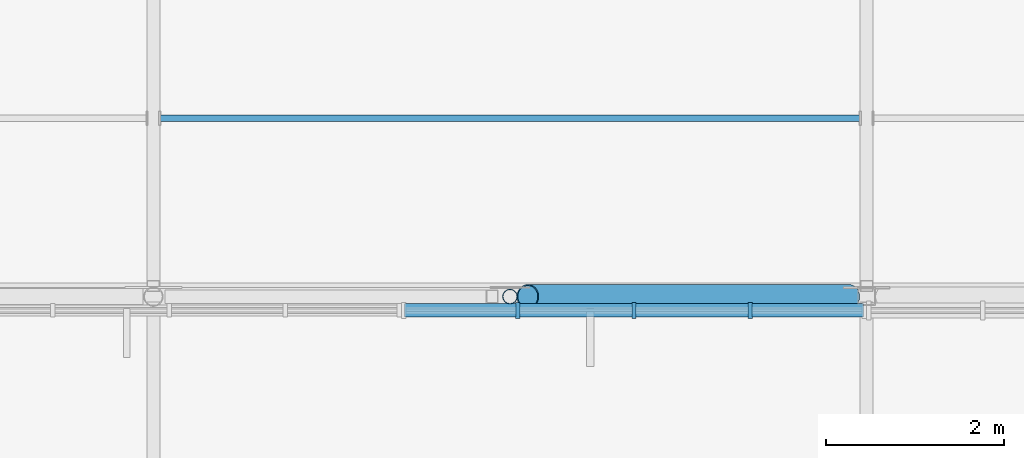
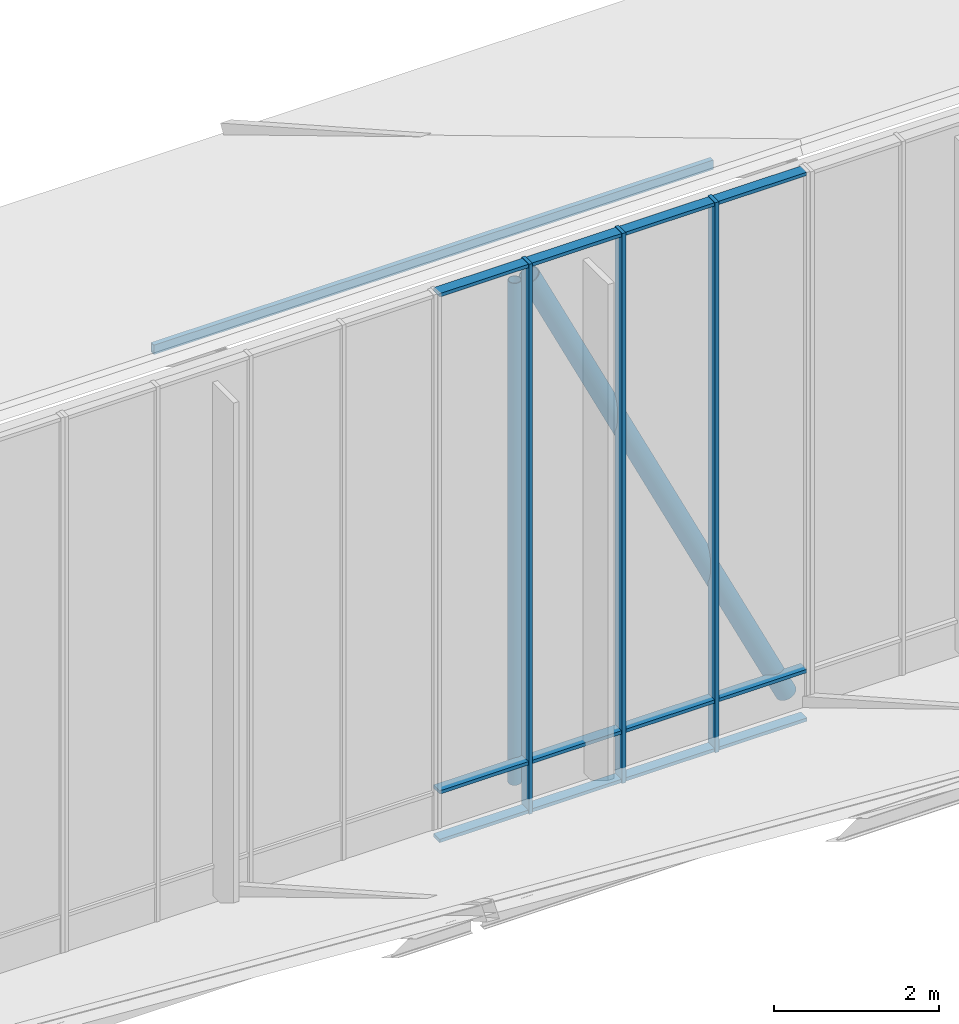
# One storey, part 69 of 155: 18 members, 1 element without a shape of its own.
"""IFC4 building model written with IfcOpenShell, lengths in metres."""

from ifc_helpers import new_model, si_unit, direction, frame, origin, origin_2d, place, context, subcontext, project, spatial, rectangle, hollow_rectangle, hollow_circle, extrude, material, material_profile, profile_set, type_object, element, aggregate, save


model = new_model("IFC4")

# Units and contexts
model_context = context("Model", 3, precision=1e-05, world=origin(), true_north=direction((0.0, 1.0)))
body_context = subcontext(model_context, "Body", "Model", "MODEL_VIEW")
ifc_project = project(units=[si_unit("LENGTHUNIT", "METRE"), si_unit("AREAUNIT", "SQUARE_METRE"), si_unit("VOLUMEUNIT", "CUBIC_METRE"), si_unit("PLANEANGLEUNIT", "RADIAN"), si_unit("MASSUNIT", "GRAM", prefix="KILO")], contexts=[model_context])

# Site, building, storey
site_placement = place(None, origin())
site = spatial("IfcSite", under=ifc_project, at=site_placement, CompositionType="ELEMENT")
building_placement = place(site_placement, origin())
building = spatial("IfcBuilding", under=site, at=building_placement, Name="Larkveld Mobility Hub", CompositionType="ELEMENT")
storey_placement = place(building_placement, frame((0.0, 0.0, 8.39990234375)))
storey = spatial("IfcBuildingStorey", under=building, at=storey_placement, Name="L02", CompositionType="ELEMENT", Elevation=8.39990234375)

# Curtain wall, members
ifc_material_1 = material(Name="Anodised aluminium 6063-T6", Category="aluminium")
curtain_wall_type = type_object("IfcCurtainWallType", Name="CW-SYS-10", PredefinedType="NOTDEFINED", material=ifc_material_1)
curtain_wall_placement = place(storey_placement, origin())
curtain_wall = element("IfcCurtainWall", 1, at=curtain_wall_placement, inside=storey, type_object=curtain_wall_type, Name="Sawtooth South-Light Clerestory B7 CW-046", PredefinedType="NOTDEFINED")
ifc_material_profile_1 = material_profile(ifc_material_1, rectangle(XDim=0.050048828125, YDim=0.179931640625, at=origin_2d()), Name="ALU MULL 50x180")
ifc_profile_set_1 = profile_set([ifc_material_profile_1], Name="Anodised aluminium 6063-T6")
member_type_1 = type_object("IfcMemberType", Name="CW-MUL-02", PredefinedType="MULLION", material=ifc_profile_set_1)
member_1_placement = place(storey_placement, frame((164.0869140625, 111.844970703125, -0.001953125), z_axis=(0.0, 0.0, 1.0), x_axis=(1.0, 0.0, 0.0)))
member_1 = element("IfcMember", 2, at=member_1_placement, type_object=member_type_1, Name="CW10 mullion 2", PredefinedType="MULLION", context=body_context, shape_type="SweptSolid", body=[
    extrude(rectangle(XDim=0.050048828125, YDim=0.179931640625, at=origin_2d()), origin(), (0.0, 0.0, 1.0), 8.152099609375),
])
member_2_placement = place(storey_placement, frame((165.39111328125, 111.844970703125, -0.001953125), z_axis=(0.0, 0.0, 1.0), x_axis=(1.0, 0.0, 0.0)))
member_2 = element("IfcMember", 3, at=member_2_placement, type_object=member_type_1, Name="CW10 mullion 3", PredefinedType="MULLION", context=body_context, shape_type="SweptSolid", body=[
    extrude(rectangle(XDim=0.050048828125, YDim=0.179931640625, at=origin_2d()), origin(), (0.0, 0.0, 1.0), 8.152099609375),
])
member_3_placement = place(storey_placement, frame((166.695068359375, 111.844970703125, -0.001953125), z_axis=(0.0, 0.0, 1.0), x_axis=(1.0, 0.0, 0.0)))
member_3 = element("IfcMember", 4, at=member_3_placement, type_object=member_type_1, Name="CW10 mullion 4", PredefinedType="MULLION", context=body_context, shape_type="SweptSolid", body=[
    extrude(rectangle(XDim=0.050048828125, YDim=0.179931640625, at=origin_2d()), origin(), (0.0, 0.0, 1.0), 8.152099609375),
])
ifc_material_profile_2 = material_profile(ifc_material_1, rectangle(XDim=0.14990234375, YDim=0.050048828125, at=origin_2d()), Name="ALU TRAN 50x150")
ifc_profile_set_2 = profile_set([ifc_material_profile_2], Name="Anodised aluminium 6063-T6")
member_type_2 = type_object("IfcMemberType", Name="CW-TRN-02", PredefinedType="USERDEFINED", material=ifc_profile_set_2)
member_4_placement = place(storey_placement, frame((162.818115234375, 111.844970703125, 0.030029296875), z_axis=(1.0, 0.0, 0.0), x_axis=(0.0, 1.0, 0.0)))
member_4 = element("IfcMember", 5, at=member_4_placement, type_object=member_type_2, Name="CW10 transom 1.1", ObjectType="TRANSOM", PredefinedType="USERDEFINED", context=body_context, shape_type="SweptSolid", body=[
    extrude(rectangle(XDim=0.14990234375, YDim=0.050048828125, at=origin_2d()), origin(), (0.0, 0.0, 1.0), 1.25390625),
])
member_5_placement = place(storey_placement, frame((162.818115234375, 111.844970703125, 0.75), z_axis=(1.0, 0.0, 0.0), x_axis=(0.0, 1.0, 0.0)))
member_5 = element("IfcMember", 6, at=member_5_placement, type_object=member_type_2, Name="CW10 transom 1.2", ObjectType="TRANSOM", PredefinedType="USERDEFINED", context=body_context, shape_type="SweptSolid", body=[
    extrude(rectangle(XDim=0.14990234375, YDim=0.050048828125, at=origin_2d()), origin(), (0.0, 0.0, 1.0), 1.25390625),
])
member_6_placement = place(storey_placement, frame((162.818115234375, 111.844970703125, 8.1181640625), z_axis=(1.0, 0.0, 0.0), x_axis=(0.0, 1.0, 0.0)))
member_6 = element("IfcMember", 7, at=member_6_placement, type_object=member_type_2, Name="CW10 transom 1.3", ObjectType="TRANSOM", PredefinedType="USERDEFINED", context=body_context, shape_type="SweptSolid", body=[
    extrude(rectangle(XDim=0.14990234375, YDim=0.050048828125, at=origin_2d()), origin(), (0.0, 0.0, 1.0), 1.25390625),
])
member_7_placement = place(storey_placement, frame((164.10205078125, 111.844970703125, 0.030029296875), z_axis=(1.0, 0.0, 0.0), x_axis=(0.0, 1.0, 0.0)))
member_7 = element("IfcMember", 8, at=member_7_placement, type_object=member_type_2, Name="CW10 transom 2.1", ObjectType="TRANSOM", PredefinedType="USERDEFINED", context=body_context, shape_type="SweptSolid", body=[
    extrude(rectangle(XDim=0.14990234375, YDim=0.050048828125, at=origin_2d()), origin(), (0.0, 0.0, 1.0), 1.27392578125),
])
member_8_placement = place(storey_placement, frame((164.10205078125, 111.844970703125, 0.75), z_axis=(1.0, 0.0, 0.0), x_axis=(0.0, 1.0, 0.0)))
member_8 = element("IfcMember", 9, at=member_8_placement, type_object=member_type_2, Name="CW10 transom 2.2", ObjectType="TRANSOM", PredefinedType="USERDEFINED", context=body_context, shape_type="SweptSolid", body=[
    extrude(rectangle(XDim=0.14990234375, YDim=0.050048828125, at=origin_2d()), origin(), (0.0, 0.0, 1.0), 1.27392578125),
])
member_9_placement = place(storey_placement, frame((164.10205078125, 111.844970703125, 8.1181640625), z_axis=(1.0, 0.0, 0.0), x_axis=(0.0, 1.0, 0.0)))
member_9 = element("IfcMember", 10, at=member_9_placement, type_object=member_type_2, Name="CW10 transom 2.3", ObjectType="TRANSOM", PredefinedType="USERDEFINED", context=body_context, shape_type="SweptSolid", body=[
    extrude(rectangle(XDim=0.14990234375, YDim=0.050048828125, at=origin_2d()), origin(), (0.0, 0.0, 1.0), 1.27392578125),
])
member_10_placement = place(storey_placement, frame((165.406005859375, 111.844970703125, 0.030029296875), z_axis=(1.0, 0.0, 0.0), x_axis=(0.0, 1.0, 0.0)))
member_10 = element("IfcMember", 11, at=member_10_placement, type_object=member_type_2, Name="CW10 transom 3.1", ObjectType="TRANSOM", PredefinedType="USERDEFINED", context=body_context, shape_type="SweptSolid", body=[
    extrude(rectangle(XDim=0.14990234375, YDim=0.050048828125, at=origin_2d()), origin(), (0.0, 0.0, 1.0), 1.27392578125),
])
member_11_placement = place(storey_placement, frame((165.406005859375, 111.844970703125, 0.75), z_axis=(1.0, 0.0, 0.0), x_axis=(0.0, 1.0, 0.0)))
member_11 = element("IfcMember", 12, at=member_11_placement, type_object=member_type_2, Name="CW10 transom 3.2", ObjectType="TRANSOM", PredefinedType="USERDEFINED", context=body_context, shape_type="SweptSolid", body=[
    extrude(rectangle(XDim=0.14990234375, YDim=0.050048828125, at=origin_2d()), origin(), (0.0, 0.0, 1.0), 1.27392578125),
])
member_12_placement = place(storey_placement, frame((165.406005859375, 111.844970703125, 8.1181640625), z_axis=(1.0, 0.0, 0.0), x_axis=(0.0, 1.0, 0.0)))
member_12 = element("IfcMember", 13, at=member_12_placement, type_object=member_type_2, Name="CW10 transom 3.3", ObjectType="TRANSOM", PredefinedType="USERDEFINED", context=body_context, shape_type="SweptSolid", body=[
    extrude(rectangle(XDim=0.14990234375, YDim=0.050048828125, at=origin_2d()), origin(), (0.0, 0.0, 1.0), 1.27392578125),
])
member_13_placement = place(storey_placement, frame((166.7099609375, 111.844970703125, 0.030029296875), z_axis=(1.0, 0.0, 0.0), x_axis=(0.0, 1.0, 0.0)))
member_13 = element("IfcMember", 14, at=member_13_placement, type_object=member_type_2, Name="CW10 transom 4.1", ObjectType="TRANSOM", PredefinedType="USERDEFINED", context=body_context, shape_type="SweptSolid", body=[
    extrude(rectangle(XDim=0.14990234375, YDim=0.050048828125, at=origin_2d()), origin(), (0.0, 0.0, 1.0), 1.255126953125),
])
member_14_placement = place(storey_placement, frame((166.7099609375, 111.844970703125, 0.75), z_axis=(1.0, 0.0, 0.0), x_axis=(0.0, 1.0, 0.0)))
member_14 = element("IfcMember", 15, at=member_14_placement, type_object=member_type_2, Name="CW10 transom 4.2", ObjectType="TRANSOM", PredefinedType="USERDEFINED", context=body_context, shape_type="SweptSolid", body=[
    extrude(rectangle(XDim=0.14990234375, YDim=0.050048828125, at=origin_2d()), origin(), (0.0, 0.0, 1.0), 1.255126953125),
])
member_15_placement = place(storey_placement, frame((166.7099609375, 111.844970703125, 8.1181640625), z_axis=(1.0, 0.0, 0.0), x_axis=(0.0, 1.0, 0.0)))
member_15 = element("IfcMember", 16, at=member_15_placement, type_object=member_type_2, Name="CW10 transom 4.3", ObjectType="TRANSOM", PredefinedType="USERDEFINED", context=body_context, shape_type="SweptSolid", body=[
    extrude(rectangle(XDim=0.14990234375, YDim=0.050048828125, at=origin_2d()), origin(), (0.0, 0.0, 1.0), 1.255126953125),
])
aggregate(curtain_wall, [member_1, member_2, member_3, member_4, member_5, member_6, member_7, member_8, member_9, member_10, member_11, member_12, member_13, member_14, member_15])

# Members
ifc_material_2 = material(Name="Steel S355JR", Category="steel")
ifc_material_profile_3 = material_profile(ifc_material_2, hollow_circle(Radius=0.084228515625, WallThickness=0.008056640625, at=origin_2d()), Name="CHS 168.3x8")
ifc_profile_set_3 = profile_set([ifc_material_profile_3], Name="Steel S355JR")
member_type_3 = type_object("IfcMemberType", Name="MB-BR-CHS168", PredefinedType="BRACE", material=ifc_profile_set_3)
member_16_placement = place(storey_placement, frame((164.0, 112.0, 0.360107421875), z_axis=(0.0, 0.0, 1.0), x_axis=(1.0, 0.0, 0.0)))
element("IfcMember", 17, at=member_16_placement, inside=storey, type_object=member_type_3, Name="ROOF TRUSS T7 Vertical Post 3", PredefinedType="BRACE", context=body_context, shape_type="SweptSolid", body=[
    extrude(hollow_circle(Radius=0.084228515625, WallThickness=0.008056640625, at=origin_2d()), origin(), (0.0, 0.0, 1.0), 7.43994140625),
])
ifc_material_profile_4 = material_profile(ifc_material_2, hollow_circle(Radius=0.136474609375, WallThickness=0.012451171875, at=origin_2d()), Name="CHS 273x12.5")
ifc_profile_set_4 = profile_set([ifc_material_profile_4], Name="Steel S355JR")
member_type_4 = type_object("IfcMemberType", Name="MB-BR-CHS273", PredefinedType="BRACE", material=ifc_profile_set_4)
member_17_placement = place(storey_placement, frame((164.199951171875, 112.0, 7.800048828125), z_axis=(0.435573281392, 0.0, -0.900153273914), x_axis=(0.0, 1.0, 0.0)))
element("IfcMember", 18, at=member_17_placement, inside=storey, type_object=member_type_4, Name="ROOF TRUSS T7 Web Diagonal 4", PredefinedType="BRACE", context=body_context, shape_type="SweptSolid", body=[
    extrude(hollow_circle(Radius=0.136474609375, WallThickness=0.012451171875, at=origin_2d()), origin(), (0.0, 0.0, 1.0), 8.26513671875),
])
ifc_material_profile_5 = material_profile(ifc_material_2, hollow_rectangle(XDim=0.070068359375, YDim=0.139892578125, WallThickness=0.00634765625, at=origin_2d()), Name="RHS 140x70x6.3")
ifc_profile_set_5 = profile_set([ifc_material_profile_5], Name="Steel S355JR")
member_type_5 = type_object("IfcMemberType", Name="MB-PR-RHS140", PredefinedType="PURLIN", material=ifc_profile_set_5)
member_18_placement = place(storey_placement, frame((160.080078125, 114.0, 6.93701171875), z_axis=(1.0, 0.0, 0.0), x_axis=(0.0, 1.0, 0.0)))
element("IfcMember", 19, at=member_18_placement, inside=storey, type_object=member_type_5, Name="Sawtooth Roof Purlin B7-1.2", PredefinedType="PURLIN", context=body_context, shape_type="SweptSolid", body=[
    extrude(hollow_rectangle(XDim=0.070068359375, YDim=0.139892578125, WallThickness=0.00634765625, at=origin_2d()), origin(), (0.0, 0.0, 1.0), 7.83984375),
])

save(model, "model.ifc")
